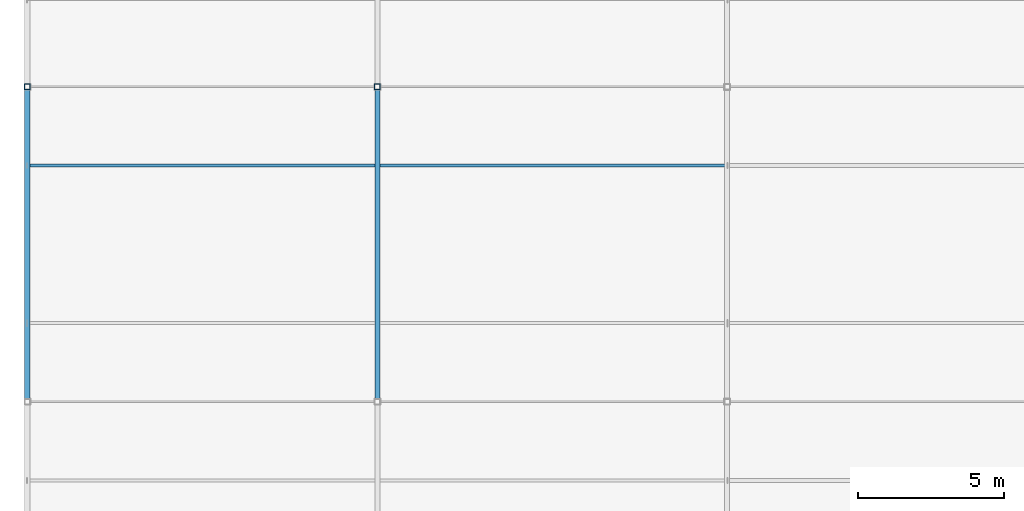
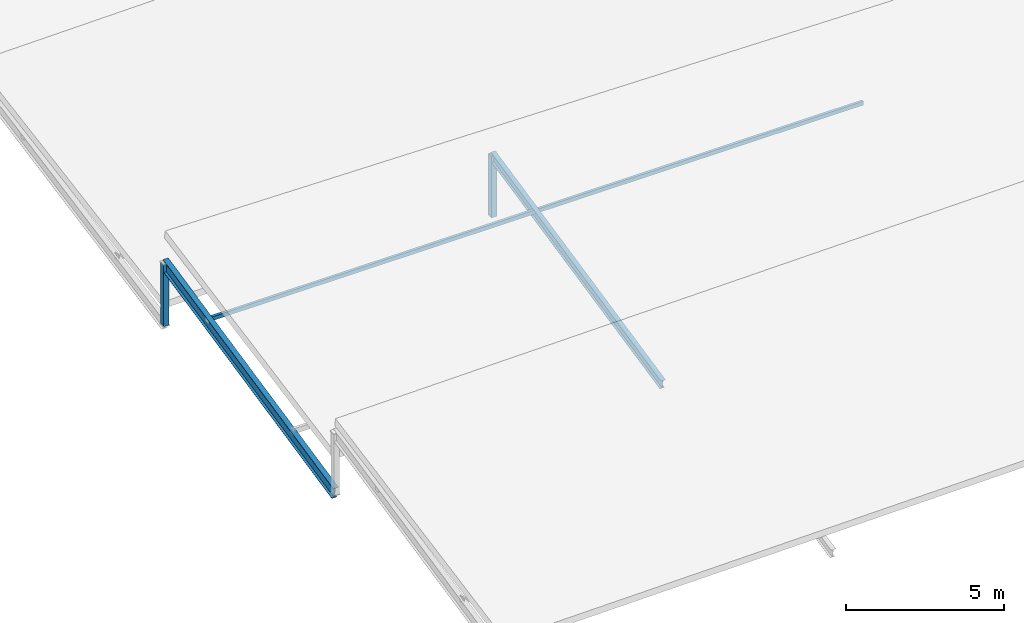
# One storey, part 63 of 226: 5 members.
"""IFC4 building model written with IfcOpenShell, lengths in metres."""

from ifc_helpers import new_model, si_unit, direction, frame, origin, origin_2d, place, context, subcontext, project, spatial, hollow_rectangle, i_section, extrude, material, material_profile, profile_set, type_object, element, save


model = new_model("IFC4")

# Units and contexts
model_context = context("Model", 3, precision=1e-05, world=origin(), true_north=direction((0.0, 1.0)))
body_context = subcontext(model_context, "Body", "Model", "MODEL_VIEW")
ifc_project = project(units=[si_unit("LENGTHUNIT", "METRE"), si_unit("AREAUNIT", "SQUARE_METRE"), si_unit("VOLUMEUNIT", "CUBIC_METRE"), si_unit("PLANEANGLEUNIT", "RADIAN"), si_unit("MASSUNIT", "GRAM", prefix="KILO")], contexts=[model_context])

# Site, building, storey
site_placement = place(None, origin())
site = spatial("IfcSite", under=ifc_project, at=site_placement, CompositionType="ELEMENT")
building_placement = place(site_placement, origin())
building = spatial("IfcBuilding", under=site, at=building_placement, Name="Tarnwether General Hospital", CompositionType="ELEMENT")
storey_placement = place(building_placement, frame((0.0, 0.0, 4.800048828125)))
storey = spatial("IfcBuildingStorey", under=building, at=storey_placement, Name="L01", CompositionType="ELEMENT", Elevation=4.800048828125)

# Members
ifc_material_1 = material(Name="Steel Grade C350L0 (350 MPa)", Category="steel")
ifc_material_profile_1 = material_profile(ifc_material_1, hollow_rectangle(XDim=0.199951171875, YDim=0.199951171875, WallThickness=0.010009765625, at=origin_2d()), Name="SHS200x200x10")
ifc_profile_set_1 = profile_set([ifc_material_profile_1], Name="Steel Grade C350L0 (350 MPa)")
member_type_1 = type_object("IfcMemberType", Name="MB-BR8", PredefinedType="BRACE", material=ifc_profile_set_1)
for number, where, z_axis, x_axis, name in (
    (1, (0.0, 21.60009765625, -0.380126953125), (0.0, 0.0, 1.0), (1.0, 0.0, 0.0), "Emergency Sawtooth Web Strut 036"),
    (2, (12.0, 21.60009765625, -0.380126953125), (0.0, 0.0, 1.0), (1.0, 0.0, 0.0), "Emergency Sawtooth Web Strut 037"),
):
    element("IfcMember", number, at=place(storey_placement, frame(where, z_axis=z_axis, x_axis=x_axis)), inside=storey, type_object=member_type_1, Name=name, PredefinedType="BRACE", context=body_context, shape_type="SweptSolid", body=[
        extrude(hollow_rectangle(XDim=0.199951171875, YDim=0.199951171875, WallThickness=0.010009765625, at=origin_2d()), origin(), (0.0, 0.0, 1.0), 2.380126953125),
    ])
ifc_material_2 = material(Name="Steel Grade C350L0 (350 MPa)", Category="steel")
ifc_material_profile_2 = material_profile(ifc_material_2, hollow_rectangle(XDim=0.10009765625, YDim=0.14990234375, WallThickness=0.006103515625, at=origin_2d()), Name="RHS150x100x6")
ifc_profile_set_2 = profile_set([ifc_material_profile_2], Name="Steel Grade C350L0 (350 MPa)")
member_type_2 = type_object("IfcMemberType", Name="MB-PR5", PredefinedType="PURLIN", material=ifc_profile_set_2)
member_1_placement = place(storey_placement, frame((0.0, 18.89990234375, 1.43994140625), z_axis=(1.0, 0.0, 0.0), x_axis=(0.0, 1.0, 0.0)))
element("IfcMember", 3, at=member_1_placement, inside=storey, type_object=member_type_2, Name="Emergency Sawtooth Purlin 043", PredefinedType="PURLIN", context=body_context, shape_type="SweptSolid", body=[
    extrude(hollow_rectangle(XDim=0.10009765625, YDim=0.14990234375, WallThickness=0.006103515625, at=origin_2d()), origin(), (0.0, 0.0, 1.0), 24.0),
])
ifc_material_3 = material(Name="Steel Grade 350 (350 MPa)", Category="steel")
ifc_material_profile_3 = material_profile(ifc_material_3, i_section(OverallWidth=0.18994140625, OverallDepth=0.4541015625, WebThickness=0.008544921875, FlangeThickness=0.0126953125, at=origin_2d()), Name="460UB67.1")
ifc_profile_set_3 = profile_set([ifc_material_profile_3], Name="Steel Grade 350 (350 MPa)")
member_type_3 = type_object("IfcMemberType", Name="MB-RF3", PredefinedType="RAFTER", material=ifc_profile_set_3)
member_2_placement = place(storey_placement, frame((0.0, 10.800048828125, -0.360107421875), z_axis=(0.0, 0.977695229902, 0.210028658584), x_axis=(-1.0, 0.0, 0.0)))
element("IfcMember", 4, at=member_2_placement, inside=storey, type_object=member_type_3, Name="Emergency Sawtooth Rafter 036", PredefinedType="RAFTER", context=body_context, shape_type="SweptSolid", body=[
    extrude(i_section(OverallWidth=0.18994140625, OverallDepth=0.4541015625, WebThickness=0.008544921875, FlangeThickness=0.0126953125, at=origin_2d()), origin(), (0.0, 0.0, 1.0), 11.04638671875),
])
ifc_material_4 = material(Name="Steel Grade 350 (350 MPa)", Category="steel")
ifc_material_profile_4 = material_profile(ifc_material_4, i_section(OverallWidth=0.1708984375, OverallDepth=0.35595703125, WebThickness=0.00732421875, FlangeThickness=0.011474609375, at=origin_2d()), Name="360UB50.7")
ifc_profile_set_4 = profile_set([ifc_material_profile_4], Name="Steel Grade 350 (350 MPa)")
member_type_4 = type_object("IfcMemberType", Name="MB-RF4", PredefinedType="RAFTER", material=ifc_profile_set_4)
member_3_placement = place(storey_placement, frame((12.0, 10.800048828125, -0.360107421875), z_axis=(0.0, 0.977695229902, 0.210028658584), x_axis=(-1.0, 0.0, 0.0)))
element("IfcMember", 5, at=member_3_placement, inside=storey, type_object=member_type_4, Name="Emergency Sawtooth Rafter 037", PredefinedType="RAFTER", context=body_context, shape_type="SweptSolid", body=[
    extrude(i_section(OverallWidth=0.1708984375, OverallDepth=0.35595703125, WebThickness=0.00732421875, FlangeThickness=0.011474609375, at=origin_2d()), origin(), (0.0, 0.0, 1.0), 11.04638671875),
])

save(model, "model.ifc")
